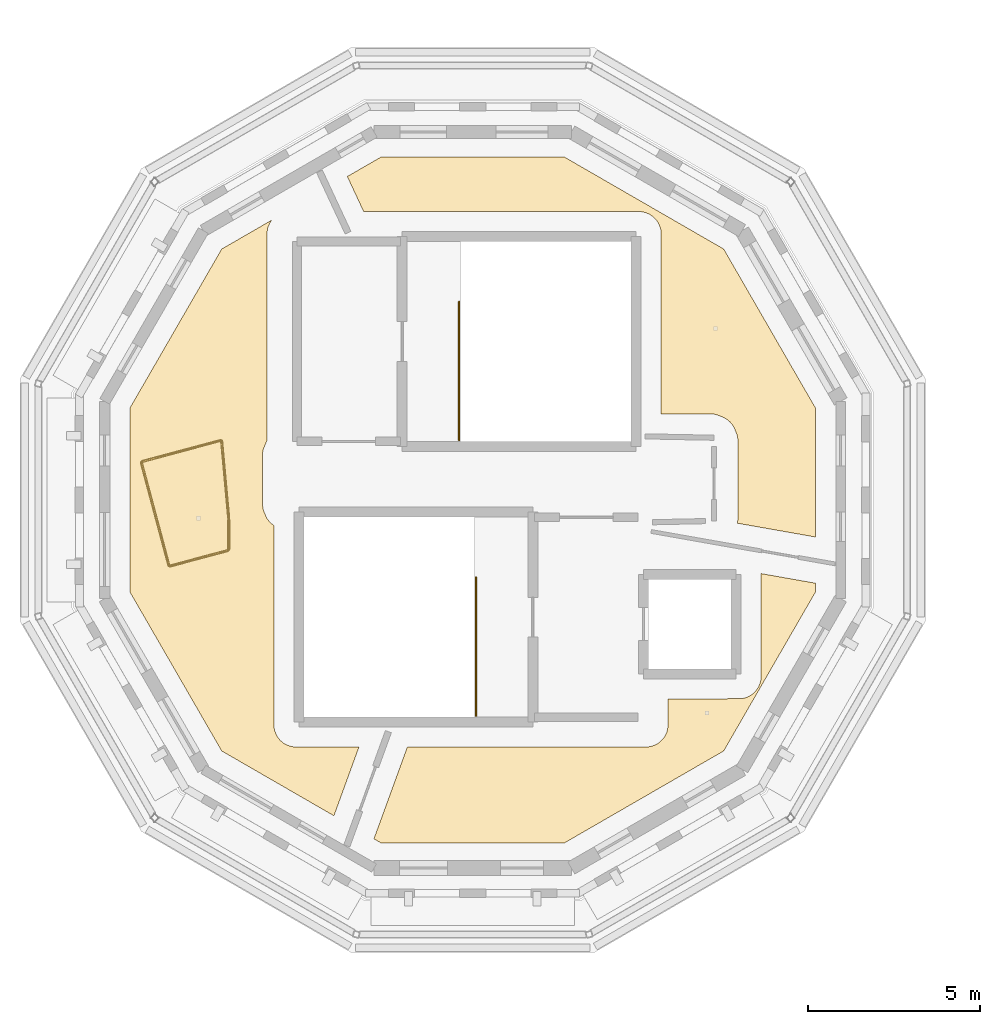
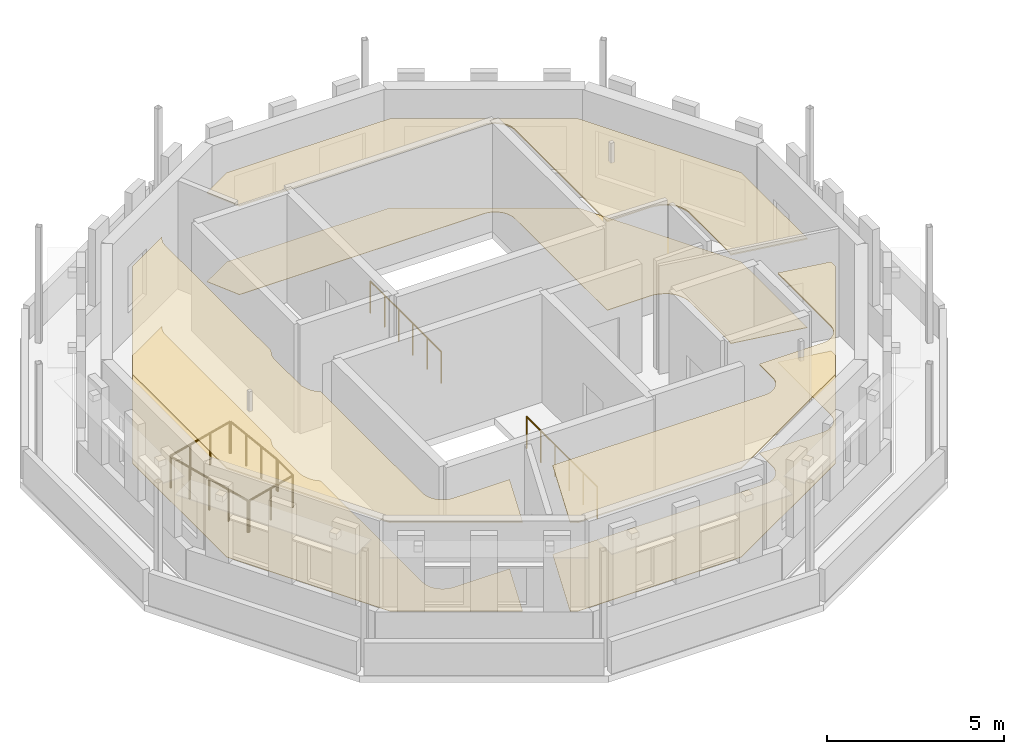
# One storey, part 49 of 51: 7 railings, 6 coverings.
"""IFC4 building model written with IfcOpenShell, lengths in metres."""

from ifc_helpers import new_model, si_unit, direction, frame, origin, origin_2d, place, context, subcontext, project, spatial, polyline, circle, outline, extrude, material, layer, layer_set, type_object, element, save


model = new_model("IFC4")

# Units and contexts
model_context = context("Model", 3, precision=1e-05, world=origin(), true_north=direction((0.0, 1.0)))
body_context = subcontext(model_context, "Body", "Model", "MODEL_VIEW")
ifc_project = project(units=[si_unit("LENGTHUNIT", "METRE"), si_unit("AREAUNIT", "SQUARE_METRE"), si_unit("VOLUMEUNIT", "CUBIC_METRE"), si_unit("PLANEANGLEUNIT", "RADIAN"), si_unit("MASSUNIT", "GRAM", prefix="KILO")], contexts=[model_context])

# Site, building, storey
site_placement = place(None, origin())
site = spatial("IfcSite", under=ifc_project, at=site_placement, CompositionType="ELEMENT")
building_placement = place(site_placement, origin())
building = spatial("IfcBuilding", under=site, at=building_placement, Name="Wrenclough Park School", CompositionType="ELEMENT")
storey_placement = place(building_placement, frame((0.0, 0.0, 16.800048828125)))
storey = spatial("IfcBuildingStorey", under=building, at=storey_placement, Name="L04", CompositionType="ELEMENT", Elevation=16.800048828125)

# Coverings
ifc_material_1 = material(Name="Class A mineral-fibre acoustic ceiling raft", Category="gypsum")
ifc_layer_1 = layer(ifc_material_1, 0.044921875)
ifc_layer_set_1 = layer_set([ifc_layer_1], Name="Class A mineral-fibre acoustic ceiling raft")
covering_type_1 = type_object("IfcCoveringType", Name="INT-COV-CEIL", PredefinedType="CEILING", material=ifc_layer_set_1)
covering_1_placement = place(storey_placement, frame((0.0, 0.0, 3.054931640625)))
element("IfcCovering", 1, at=covering_1_placement, inside=storey, type_object=covering_type_1, Name="Senior Engineering Science Laboratory acoustic ceiling raft", PredefinedType="CEILING", context=body_context, shape_type="SweptSolid", body=[
    extrude(outline(polyline([(10.530029296875, 91.22802734375), (10.530029296875, 97.219970703125), (10.54248046875, 97.3466796875), (10.55810546875, 97.40869140625), (10.606689453125, 97.5263671875), (10.670166015625, 97.622314453125), (9.216796875, 96.783203125), (6.55078125, 92.165771484375), (6.55078125, 86.834228515625), (9.216796875, 82.216796875), (12.47314453125, 80.336669921875), (13.198486328125, 82.330078125), (11.3798828125, 82.330078125), (11.253173828125, 82.342529296875), (11.19140625, 82.35791015625), (11.073486328125, 82.40673828125), (11.018798828125, 82.439453125), (10.92041015625, 82.5205078125), (10.87744140625, 82.567626953125), (10.806884765625, 82.673583984375), (10.758056640625, 82.791259765625), (10.742431640625, 82.853271484375), (10.72998046875, 82.97998046875), (10.72998046875, 88.759521484375), (10.624755859375, 88.8447265625), (10.543701171875, 88.943603515625), (10.5107421875, 88.99853515625), (10.4287109375, 89.19677734375), (10.4130859375, 89.258544921875), (10.400634765625, 89.385009765625), (10.403076171875, 90.86328125), (10.427978515625, 90.98828125), (10.530029296875, 91.22802734375)])), origin(), (0.0, 0.0, 1.0), 0.044921875),
])
covering_2_placement = place(storey_placement, frame((0.0, 0.0, 3.054931640625)))
element("IfcCovering", 2, at=covering_2_placement, inside=storey, type_object=covering_type_1, Name="Product Design Seminar Classroom acoustic ceiling raft", PredefinedType="CEILING", context=body_context, shape_type="SweptSolid", body=[
    extrude(outline(polyline([(21.52001953125, 82.330078125), (14.603271484375, 82.330078125), (13.6337890625, 79.66650390625), (13.834228515625, 79.55078125), (19.165771484375, 79.55078125), (23.783203125, 82.216796875), (26.44921875, 86.834228515625), (26.44921875, 87.085693359375), (24.8701171875, 87.364013671875), (24.8701171875, 84.3798828125), (24.857421875, 84.253173828125), (24.842041015625, 84.19140625), (24.793212890625, 84.073486328125), (24.760498046875, 84.018798828125), (24.6796875, 83.92041015625), (24.5810546875, 83.839599609375), (24.46875, 83.779541015625), (24.40869140625, 83.758056640625), (24.28369140625, 83.733154296875), (22.169921875, 83.72998046875), (22.1669921875, 82.916259765625), (22.14208984375, 82.791259765625), (22.12060546875, 82.731201171875), (22.09326171875, 82.673583984375), (22.0224609375, 82.567626953125), (21.932373046875, 82.4775390625), (21.881103515625, 82.439453125), (21.768798828125, 82.37939453125), (21.708740234375, 82.35791015625), (21.646728515625, 82.342529296875), (21.52001953125, 82.330078125)])), origin(), (0.0, 0.0, 1.0), 0.044921875),
])
covering_3_placement = place(storey_placement, frame((0.0, 0.0, 3.054931640625)))
element("IfcCovering", 3, at=covering_3_placement, inside=storey, type_object=covering_type_1, Name="Makerspace Design Studio acoustic ceiling raft", PredefinedType="CEILING", context=body_context, shape_type="SweptSolid", body=[
    extrude(outline(polyline([(21.969970703125, 97.219970703125), (21.969970703125, 91.997802734375), (23.39892578125, 92.0), (23.526123046875, 91.987548828125), (23.6484375, 91.95068359375), (23.812255859375, 91.87939453125), (23.8671875, 91.8466796875), (23.9658203125, 91.765625), (24.046630859375, 91.6669921875), (24.106689453125, 91.5546875), (24.172119140625, 91.388427734375), (24.1875, 91.32666015625), (24.199951171875, 91.199951171875), (24.199951171875, 89.0), (24.197021484375, 88.936279296875), (24.17578125, 88.826904296875), (26.44921875, 88.426025390625), (26.44921875, 92.165771484375), (23.783203125, 96.783203125), (19.165771484375, 99.44921875), (13.834228515625, 99.44921875), (12.86181640625, 98.8876953125), (13.336181640625, 97.8701171875), (21.3837890625, 97.866943359375), (21.5087890625, 97.842041015625), (21.62646484375, 97.793212890625), (21.732421875, 97.722412109375), (21.822509765625, 97.63232421875), (21.893310546875, 97.5263671875), (21.94189453125, 97.40869140625), (21.95751953125, 97.3466796875), (21.969970703125, 97.219970703125)])), origin(), (0.0, 0.0, 1.0), 0.044921875),
])
ifc_material_2 = material(Name="Acoustic natural linoleum school flooring", Category="wood")
ifc_layer_2 = layer(ifc_material_2, 0.014892578125)
ifc_layer_set_2 = layer_set([ifc_layer_2], Name="Acoustic natural linoleum school flooring")
covering_type_2 = type_object("IfcCoveringType", Name="INT-COV-FLOOR1", PredefinedType="FLOORING", material=ifc_layer_set_2)
covering_4_placement = place(storey_placement, origin())
element("IfcCovering", 4, at=covering_4_placement, inside=storey, type_object=covering_type_2, Name="Senior Engineering Science Laboratory floor finish", PredefinedType="FLOORING", context=body_context, shape_type="SweptSolid", body=[
    extrude(outline(polyline([(10.530029296875, 91.22802734375), (10.530029296875, 97.219970703125), (10.54248046875, 97.3466796875), (10.55810546875, 97.40869140625), (10.606689453125, 97.5263671875), (10.670166015625, 97.622314453125), (9.216796875, 96.783203125), (6.55078125, 92.165771484375), (6.55078125, 86.834228515625), (9.216796875, 82.216796875), (12.47314453125, 80.336669921875), (13.198486328125, 82.330078125), (11.3798828125, 82.330078125), (11.253173828125, 82.342529296875), (11.19140625, 82.35791015625), (11.073486328125, 82.40673828125), (11.018798828125, 82.439453125), (10.92041015625, 82.5205078125), (10.87744140625, 82.567626953125), (10.806884765625, 82.673583984375), (10.758056640625, 82.791259765625), (10.742431640625, 82.853271484375), (10.72998046875, 82.97998046875), (10.72998046875, 88.759521484375), (10.624755859375, 88.8447265625), (10.543701171875, 88.943603515625), (10.5107421875, 88.99853515625), (10.4287109375, 89.19677734375), (10.4130859375, 89.258544921875), (10.400634765625, 89.385009765625), (10.403076171875, 90.86328125), (10.427978515625, 90.98828125), (10.530029296875, 91.22802734375)])), origin(), (0.0, 0.0, 1.0), 0.014892578125),
])
covering_5_placement = place(storey_placement, origin())
element("IfcCovering", 5, at=covering_5_placement, inside=storey, type_object=covering_type_2, Name="Product Design Seminar Classroom floor finish", PredefinedType="FLOORING", context=body_context, shape_type="SweptSolid", body=[
    extrude(outline(polyline([(21.52001953125, 82.330078125), (14.603271484375, 82.330078125), (13.6337890625, 79.66650390625), (13.834228515625, 79.55078125), (19.165771484375, 79.55078125), (23.783203125, 82.216796875), (26.44921875, 86.834228515625), (26.44921875, 87.085693359375), (24.8701171875, 87.364013671875), (24.8701171875, 84.3798828125), (24.857421875, 84.253173828125), (24.842041015625, 84.19140625), (24.793212890625, 84.073486328125), (24.760498046875, 84.018798828125), (24.6796875, 83.92041015625), (24.5810546875, 83.839599609375), (24.46875, 83.779541015625), (24.40869140625, 83.758056640625), (24.28369140625, 83.733154296875), (22.169921875, 83.72998046875), (22.1669921875, 82.916259765625), (22.14208984375, 82.791259765625), (22.12060546875, 82.731201171875), (22.09326171875, 82.673583984375), (22.0224609375, 82.567626953125), (21.932373046875, 82.4775390625), (21.881103515625, 82.439453125), (21.768798828125, 82.37939453125), (21.708740234375, 82.35791015625), (21.646728515625, 82.342529296875), (21.52001953125, 82.330078125)])), origin(), (0.0, 0.0, 1.0), 0.014892578125),
])
covering_6_placement = place(storey_placement, origin())
element("IfcCovering", 6, at=covering_6_placement, inside=storey, type_object=covering_type_2, Name="Makerspace Design Studio floor finish", PredefinedType="FLOORING", context=body_context, shape_type="SweptSolid", body=[
    extrude(outline(polyline([(21.969970703125, 97.219970703125), (21.969970703125, 91.997802734375), (23.39892578125, 92.0), (23.526123046875, 91.987548828125), (23.6484375, 91.95068359375), (23.812255859375, 91.87939453125), (23.8671875, 91.8466796875), (23.9658203125, 91.765625), (24.046630859375, 91.6669921875), (24.106689453125, 91.5546875), (24.172119140625, 91.388427734375), (24.1875, 91.32666015625), (24.199951171875, 91.199951171875), (24.199951171875, 89.0), (24.197021484375, 88.936279296875), (24.17578125, 88.826904296875), (26.44921875, 88.426025390625), (26.44921875, 92.165771484375), (23.783203125, 96.783203125), (19.165771484375, 99.44921875), (13.834228515625, 99.44921875), (12.86181640625, 98.8876953125), (13.336181640625, 97.8701171875), (21.3837890625, 97.866943359375), (21.5087890625, 97.842041015625), (21.62646484375, 97.793212890625), (21.732421875, 97.722412109375), (21.822509765625, 97.63232421875), (21.893310546875, 97.5263671875), (21.94189453125, 97.40869140625), (21.95751953125, 97.3466796875), (21.969970703125, 97.219970703125)])), origin(), (0.0, 0.0, 1.0), 0.014892578125),
])

# Railings
ifc_material_3 = material(Name="Powder-coated steel vertical-baluster stair and atrium guard", Category="steel")
railing_type = type_object("IfcRailingType", Name="INT-RL-GD1120", PredefinedType="GUARDRAIL", material=ifc_material_3)
for number, where, name in (
    (7, (16.594970703125, 83.239990234375, 0.0), "ST-03 L04 top landing guard"),
    (8, (16.10498046875, 91.239990234375, 0.0), "ST-07 L04 top landing guard"),
):
    element("IfcRailing", number, at=place(storey_placement, frame(where)), inside=storey, type_object=railing_type, Name=name, PredefinedType="GUARDRAIL", context=body_context, shape_type="SweptSolid", body=[
        extrude(circle(Radius=0.02392578125, at=origin_2d()), frame((0.0, 0.0, 1.09619140625), z_axis=(0.0, 1.0, 0.0), x_axis=(-1.0, 0.0, 0.0)), (0.0, 0.0, 1.0), 4.010009765625),
        extrude(circle(Radius=0.02099609375, at=origin_2d()), origin(), (0.0, 0.0, 1.0), 1.072021484375),
        extrude(circle(Radius=0.02099609375, at=origin_2d()), frame((0.0, 0.802001953125, 0.0)), (0.0, 0.0, 1.0), 1.072021484375),
        extrude(circle(Radius=0.02099609375, at=origin_2d()), frame((0.0, 1.60400390625, 0.0)), (0.0, 0.0, 1.0), 1.072021484375),
        extrude(circle(Radius=0.02099609375, at=origin_2d()), frame((0.0, 2.406005859375, 0.0)), (0.0, 0.0, 1.0), 1.072021484375),
        extrude(circle(Radius=0.02099609375, at=origin_2d()), frame((0.0, 3.2080078125, 0.0)), (0.0, 0.0, 1.0), 1.072021484375),
        extrude(circle(Radius=0.02099609375, at=origin_2d()), frame((0.0, 4.010009765625, 0.0)), (0.0, 0.0, 1.0), 1.072021484375),
    ])
railing_1_placement = place(storey_placement, frame((7.7138671875, 87.58349609375, 0.0)))
element("IfcRailing", 9, at=railing_1_placement, inside=storey, type_object=railing_type, Name="D3 L04 void perimeter guard 1.1", PredefinedType="GUARDRAIL", context=body_context, shape_type="SweptSolid", body=[
    extrude(circle(Radius=0.02392578125, at=origin_2d()), frame((0.0, 0.0, 1.09619140625), z_axis=(0.965931782, 0.258796817064, 0.0), x_axis=(-0.258796817064, 0.965931782, 0.0)), (0.0, 0.0, 1.0), 1.741455078125),
    extrude(circle(Radius=0.02099609375, at=origin_2d()), origin(), (0.0, 0.0, 1.0), 1.072021484375),
    extrude(circle(Radius=0.02099609375, at=origin_2d()), frame((0.841064453125, 0.225341796875, 0.0)), (0.0, 0.0, 1.0), 1.072021484375),
    extrude(circle(Radius=0.02099609375, at=origin_2d()), frame((1.68212890625, 0.45068359375, 0.0)), (0.0, 0.0, 1.0), 1.072021484375),
])
railing_2_placement = place(storey_placement, frame((9.419921875, 88.06591796875, 0.0)))
element("IfcRailing", 10, at=railing_2_placement, inside=storey, type_object=railing_type, Name="D3 L04 void perimeter guard 1.2", PredefinedType="GUARDRAIL", context=body_context, shape_type="SweptSolid", body=[
    extrude(circle(Radius=0.02392578125, at=origin_2d()), frame((0.0, 0.0, 1.09619140625), z_axis=(0.0, 1.0, 0.0), x_axis=(-1.0, 0.0, 0.0)), (0.0, 0.0, 1.0), 0.8623046875),
    extrude(circle(Radius=0.02099609375, at=origin_2d()), origin(), (0.0, 0.0, 1.0), 1.072021484375),
    extrude(circle(Radius=0.02099609375, at=origin_2d()), frame((0.0, 0.8623046875, 0.0)), (0.0, 0.0, 1.0), 1.072021484375),
])
railing_3_placement = place(storey_placement, frame((9.417724609375, 88.97802734375, 0.0)))
element("IfcRailing", 11, at=railing_3_placement, inside=storey, type_object=railing_type, Name="D3 L04 void perimeter guard 1.3", PredefinedType="GUARDRAIL", context=body_context, shape_type="SweptSolid", body=[
    extrude(circle(Radius=0.02392578125, at=origin_2d()), frame((0.0, 0.0, 1.09619140625), z_axis=(-0.090702644921, 0.995878019742, 0.0), x_axis=(-0.995878019742, -0.090702644921, 0.0)), (0.0, 0.0, 1.0), 2.2421875),
    extrude(circle(Radius=0.02099609375, at=origin_2d()), origin(), (0.0, 0.0, 1.0), 1.072021484375),
    extrude(circle(Radius=0.02099609375, at=origin_2d()), frame((-0.06787109375, 0.744384765625, 0.0)), (0.0, 0.0, 1.0), 1.072021484375),
    extrude(circle(Radius=0.02099609375, at=origin_2d()), frame((-0.135498046875, 1.488525390625, 0.0)), (0.0, 0.0, 1.0), 1.072021484375),
    extrude(circle(Radius=0.02099609375, at=origin_2d()), frame((-0.203369140625, 2.23291015625, 0.0)), (0.0, 0.0, 1.0), 1.072021484375),
])
railing_4_placement = place(storey_placement, frame((9.18798828125, 91.2294921875, 0.0)))
element("IfcRailing", 12, at=railing_4_placement, inside=storey, type_object=railing_type, Name="D3 L04 void perimeter guard 1.4", PredefinedType="GUARDRAIL", context=body_context, shape_type="SweptSolid", body=[
    extrude(circle(Radius=0.02392578125, at=origin_2d()), frame((0.0, 0.0, 1.09619140625), z_axis=(-0.96591582547, -0.258856365784, 0.0), x_axis=(0.258856365784, -0.96591582547, 0.0)), (0.0, 0.0, 1.0), 2.3671875),
    extrude(circle(Radius=0.02099609375, at=origin_2d()), origin(), (0.0, 0.0, 1.0), 1.072021484375),
    extrude(circle(Radius=0.02099609375, at=origin_2d()), frame((-0.76220703125, -0.204345703125, 0.0)), (0.0, 0.0, 1.0), 1.072021484375),
    extrude(circle(Radius=0.02099609375, at=origin_2d()), frame((-1.5244140625, -0.408447265625, 0.0)), (0.0, 0.0, 1.0), 1.072021484375),
    extrude(circle(Radius=0.02099609375, at=origin_2d()), frame((-2.28662109375, -0.61279296875, 0.0)), (0.0, 0.0, 1.0), 1.072021484375),
])
railing_5_placement = place(storey_placement, frame((6.883544921875, 90.586181640625, 0.0)))
element("IfcRailing", 13, at=railing_5_placement, inside=storey, type_object=railing_type, Name="D3 L04 void perimeter guard 1.5", PredefinedType="GUARDRAIL", context=body_context, shape_type="SweptSolid", body=[
    extrude(circle(Radius=0.02392578125, at=origin_2d()), frame((0.0, 0.0, 1.09619140625), z_axis=(0.258822964688, -0.965924776031, 0.0), x_axis=(0.965924776031, 0.258822964688, 0.0)), (0.0, 0.0, 1.0), 3.090087890625),
    extrude(circle(Radius=0.02099609375, at=origin_2d()), origin(), (0.0, 0.0, 1.0), 1.072021484375),
    extrude(circle(Radius=0.02099609375, at=origin_2d()), frame((0.199951171875, -0.74609375, 0.0)), (0.0, 0.0, 1.0), 1.072021484375),
    extrude(circle(Radius=0.02099609375, at=origin_2d()), frame((0.39990234375, -1.492431640625, 0.0)), (0.0, 0.0, 1.0), 1.072021484375),
    extrude(circle(Radius=0.02099609375, at=origin_2d()), frame((0.599853515625, -2.23876953125, 0.0)), (0.0, 0.0, 1.0), 1.072021484375),
    extrude(circle(Radius=0.02099609375, at=origin_2d()), frame((0.7998046875, -2.98486328125, 0.0)), (0.0, 0.0, 1.0), 1.072021484375),
])

save(model, "model.ifc")
